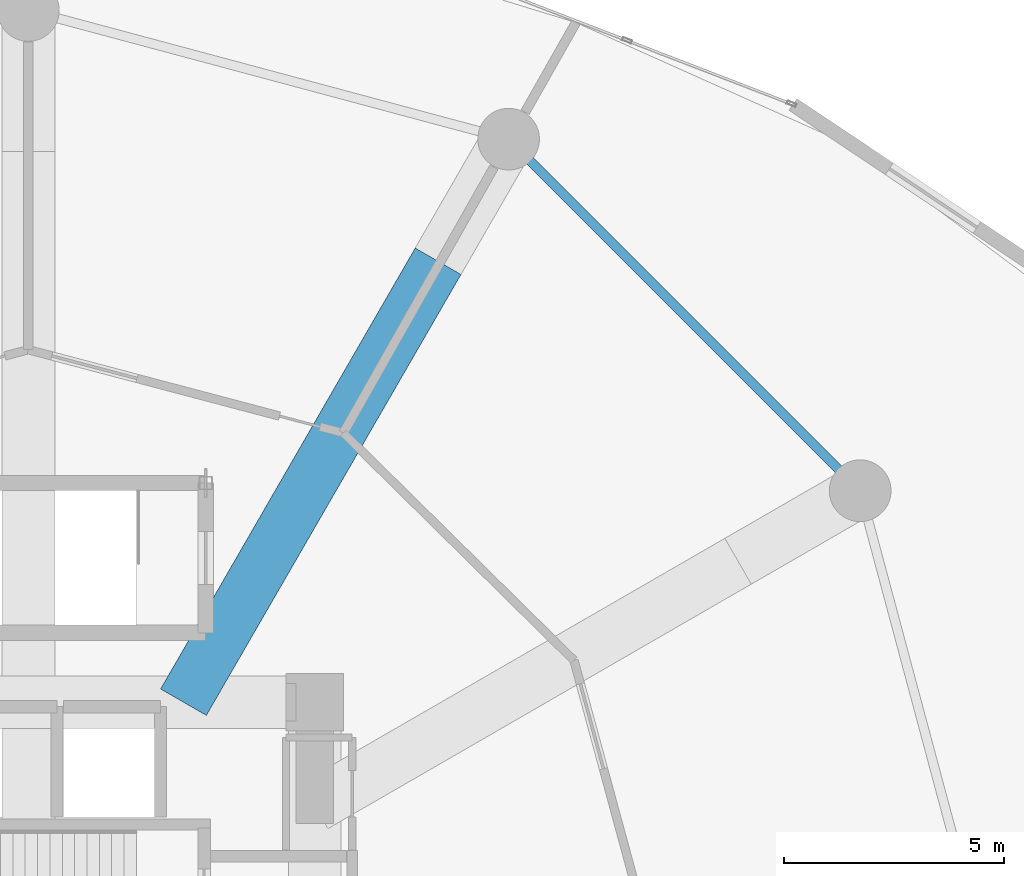
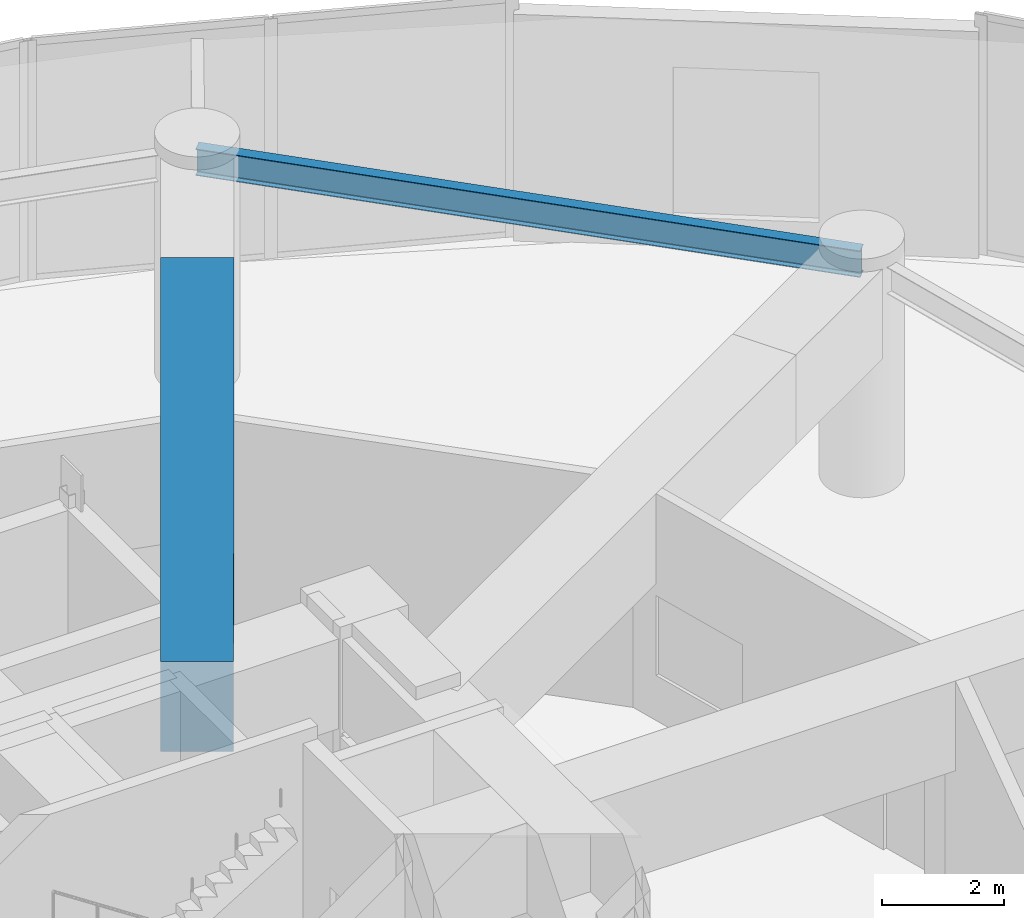
# One storey, part 17 of 27: 2 beams.
"""IFC4 building model written with IfcOpenShell, lengths in metres."""

from ifc_helpers import new_model, si_unit, direction, frame, origin, origin_2d, place, context, subcontext, project, spatial, rectangle, i_section, extrude, material, material_profile, profile_set, type_object, element, save


model = new_model("IFC4")

# Units and contexts
model_context = context("Model", 3, precision=1e-05, world=origin(), true_north=direction((0.0, 1.0)))
body_context = subcontext(model_context, "Body", "Model", "MODEL_VIEW")
ifc_project = project(units=[si_unit("LENGTHUNIT", "METRE"), si_unit("AREAUNIT", "SQUARE_METRE"), si_unit("VOLUMEUNIT", "CUBIC_METRE"), si_unit("PLANEANGLEUNIT", "RADIAN"), si_unit("MASSUNIT", "GRAM", prefix="KILO")], contexts=[model_context])

# Site, building, storey
site_placement = place(None, origin())
site = spatial("IfcSite", under=ifc_project, at=site_placement, CompositionType="ELEMENT")
building_placement = place(site_placement, origin())
building = spatial("IfcBuilding", under=site, at=building_placement, Name="Solvirekh Grand Hotel", CompositionType="ELEMENT")
storey_placement = place(building_placement, frame((0.0, 0.0, 23.60009765625)))
storey = spatial("IfcBuildingStorey", under=building, at=storey_placement, Name="L04", CompositionType="ELEMENT", Elevation=23.60009765625)

# Beams
ifc_material_1 = material(Name="Steel S355", Category="steel")
ifc_material_profile_1 = material_profile(ifc_material_1, i_section(OverallWidth=0.208984375, OverallDepth=0.532958984375, WebThickness=0.010009765625, FlangeThickness=0.014892578125, FilletRadius=0.013916015625, at=origin_2d()), Name="W530X92")
ifc_profile_set_1 = profile_set([ifc_material_profile_1], Name="Steel S355")
beam_type_1 = type_object("IfcBeamType", Name="Spandrel_Ring_W530", PredefinedType="SPANDREL", material=ifc_profile_set_1)
beam_1_placement = place(storey_placement, frame((18.87890625, 10.89990234375, 4.27294921875), z_axis=(-0.707106781187, 0.707106781187, 0.0), x_axis=(-0.707106781187, -0.707106781187, 0.0)))
element("IfcBeam", 1, at=beam_1_placement, inside=storey, type_object=beam_type_1, Name="L04 perimeter spandrel beam 2", PredefinedType="SPANDREL", context=body_context, shape_type="SweptSolid", body=[
    extrude(i_section(OverallWidth=0.208984375, OverallDepth=0.532958984375, WebThickness=0.010009765625, FlangeThickness=0.014892578125, FilletRadius=0.013916015625, at=origin_2d()), origin(), (0.0, 0.0, 1.0), 11.283935546875),
])
ifc_material_2 = material(Name="Concrete C60/75", Category="concrete")
ifc_material_profile_2 = material_profile(ifc_material_2, rectangle(XDim=1.199951171875, YDim=1.800048828125, at=origin_2d()), Name="RC GIRDER 1200X1800")
ifc_profile_set_2 = profile_set([ifc_material_profile_2], Name="Concrete C60/75")
beam_type_2 = type_object("IfcBeamType", Name="TransferGirder_RC1800", PredefinedType="USERDEFINED", material=ifc_profile_set_2)
beam_2_placement = place(storey_placement, frame((3.52099609375, 6.10009765625, 3.639892578125), z_axis=(0.500067459825, 0.865986452333, 0.0), x_axis=(-0.865986452333, 0.500067459825, 0.0)))
element("IfcBeam", 2, at=beam_2_placement, inside=storey, type_object=beam_type_2, Name="L04 inner radial transfer girder 3A", ObjectType="TRANSFER GIRDER", PredefinedType="USERDEFINED", context=body_context, shape_type="SweptSolid", body=[
    extrude(rectangle(XDim=1.199951171875, YDim=1.800048828125, at=origin_2d()), origin(), (0.0, 0.0, 1.0), 11.556640625),
])

save(model, "model.ifc")
